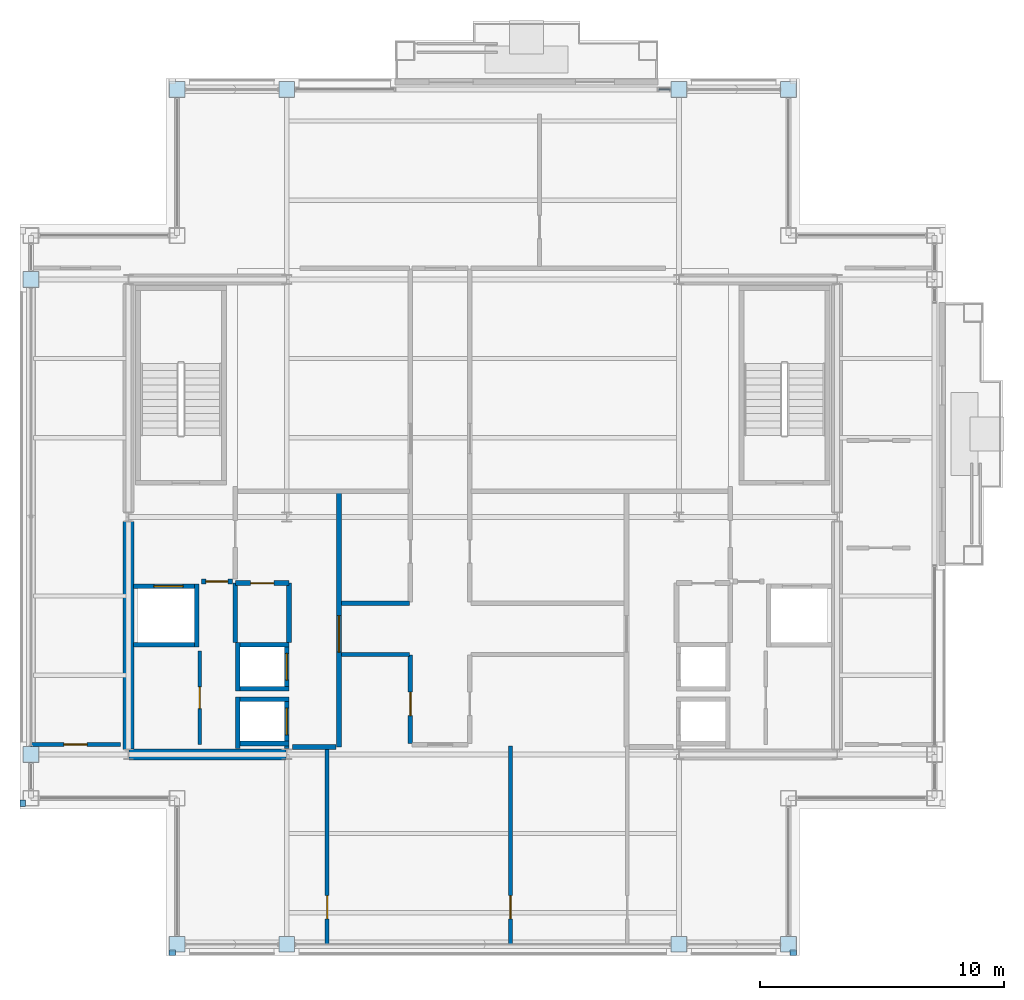
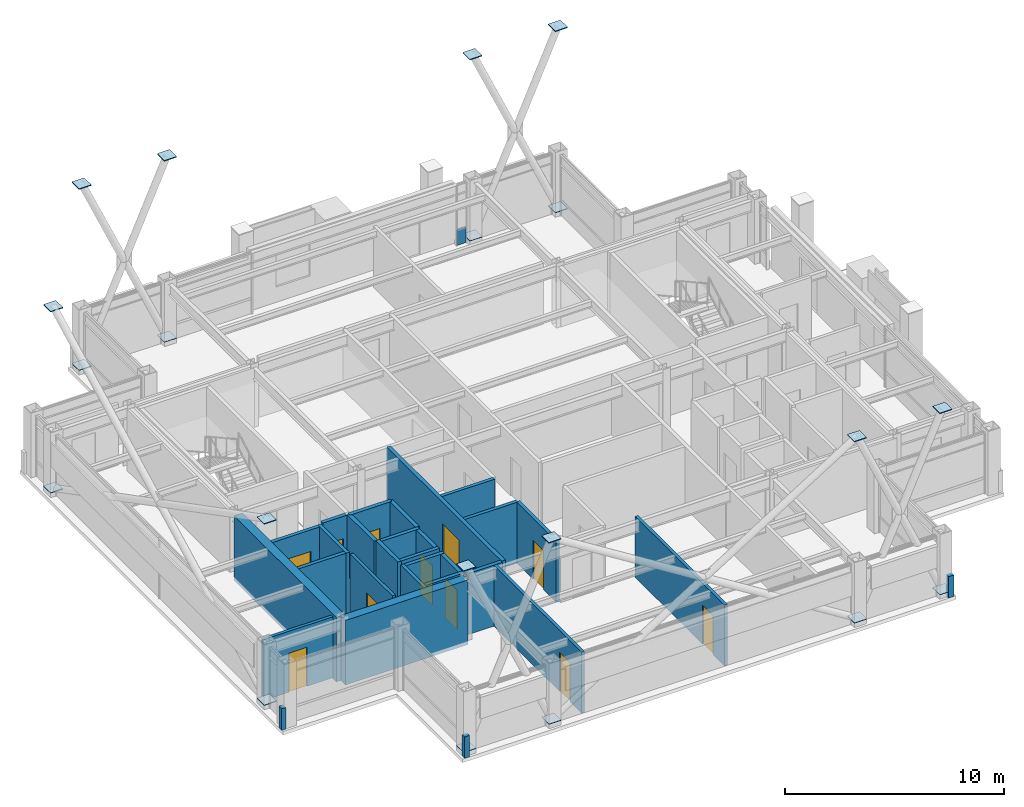
# One storey, part 25 of 30: 29 walls, 21 plates, 11 doors, 11 openings, 1 element without a shape of its own.
"""IFC4 building model written with IfcOpenShell, lengths in metres."""

from ifc_helpers import new_model, si_unit, direction, frame, frame_2d, origin, origin_2d, place, context, subcontext, project, spatial, rectangle, extrude, material, layer, layer_set, type_object, element, fill, aggregate, save


model = new_model("IFC4")

# Units and contexts
model_context = context("Model", 3, precision=1e-05, world=origin(), true_north=direction((0.0, 1.0)))
body_context = subcontext(model_context, "Body", "Model", "MODEL_VIEW")
ifc_project = project(units=[si_unit("LENGTHUNIT", "METRE"), si_unit("AREAUNIT", "SQUARE_METRE"), si_unit("VOLUMEUNIT", "CUBIC_METRE"), si_unit("PLANEANGLEUNIT", "RADIAN"), si_unit("MASSUNIT", "GRAM", prefix="KILO")], contexts=[model_context])

# Site, building, storey
site_placement = place(None, origin())
site = spatial("IfcSite", under=ifc_project, at=site_placement, CompositionType="ELEMENT")
building_placement = place(site_placement, origin())
building = spatial("IfcBuilding", under=site, at=building_placement, Name="Brelmoor Portico Tower", CompositionType="ELEMENT")
storey_placement = place(building_placement, frame((0.0, 0.0, 236.39990234375)))
storey = spatial("IfcBuildingStorey", under=building, at=storey_placement, Name="L62", CompositionType="ELEMENT", Elevation=236.39990234375)

# Plates
ifc_material_1 = material(Name="Steel Q355B", Category="steel")
ifc_layer_1 = layer(ifc_material_1, 0.044921875)
ifc_layer_set_1 = layer_set([ifc_layer_1], Name="Steel Q355B")
plate_type_1 = type_object("IfcPlateType", Name="PT-CAP-650", PredefinedType="SHEET", material=ifc_layer_set_1)
for number, where, z_axis, x_axis, name in (
    (1, (-12.550048828125, -17.550048828125, 0.2275390625), (0.0, 0.0, 1.0), (1.0, 0.0, 0.0), "L62 Continuous Mega-X Brace 139A Joint Cap Plate 1"),
    (2, (-8.050048828125, -17.550048828125, 10.32763671875), (0.0, 0.0, 1.0), (1.0, 0.0, 0.0), "L62 Continuous Mega-X Brace 139A Joint Cap Plate 2"),
    (3, (-8.050048828125, -17.550048828125, 0.2275390625), (0.0, 0.0, 1.0), (1.0, 0.0, 0.0), "L62 Split Mega-X Brace 139B1 Joint Cap Plate 1"),
    (4, (-12.550048828125, -17.550048828125, 10.32763671875), (0.0, 0.0, 1.0), (1.0, 0.0, 0.0), "L62 Split Mega-X Brace 139B2 Joint Cap Plate 2"),
    (5, (8.050048828125, -17.550048828125, 10.32763671875), (0.0, 0.0, 1.0), (1.0, 0.0, 0.0), "L62 Continuous Mega-X Brace 140A Joint Cap Plate 2"),
    (6, (8.050048828125, -17.550048828125, 0.2275390625), (0.0, 0.0, 1.0), (1.0, 0.0, 0.0), "L62 Split Mega-X Brace 140B1 Joint Cap Plate 1"),
    (7, (12.550048828125, -17.550048828125, 10.32763671875), (0.0, 0.0, 1.0), (1.0, 0.0, 0.0), "L62 Continuous Mega-X Brace 141A Joint Cap Plate 2"),
    (8, (12.550048828125, -17.550048828125, 0.2275390625), (0.0, 0.0, 1.0), (1.0, 0.0, 0.0), "L62 Split Mega-X Brace 141B1 Joint Cap Plate 1"),
    (9, (-12.550048828125, 17.550048828125, 0.2275390625), (0.0, 0.0, 1.0), (1.0, 0.0, 0.0), "L62 Continuous Mega-X Brace 142A Joint Cap Plate 1"),
    (10, (-8.050048828125, 17.550048828125, 10.32763671875), (0.0, 0.0, 1.0), (1.0, 0.0, 0.0), "L62 Continuous Mega-X Brace 142A Joint Cap Plate 2"),
    (11, (-8.050048828125, 17.550048828125, 0.2275390625), (0.0, 0.0, 1.0), (1.0, 0.0, 0.0), "L62 Split Mega-X Brace 142B1 Joint Cap Plate 1"),
    (12, (-12.550048828125, 17.550048828125, 10.32763671875), (0.0, 0.0, 1.0), (1.0, 0.0, 0.0), "L62 Split Mega-X Brace 142B2 Joint Cap Plate 2"),
    (13, (8.050048828125, 17.550048828125, 0.2275390625), (0.0, 0.0, 1.0), (1.0, 0.0, 0.0), "L62 Continuous Mega-X Brace 143A Joint Cap Plate 1"),
    (14, (12.550048828125, 17.550048828125, 10.32763671875), (0.0, 0.0, 1.0), (1.0, 0.0, 0.0), "L62 Continuous Mega-X Brace 143A Joint Cap Plate 2"),
    (15, (12.550048828125, 17.550048828125, 0.2275390625), (0.0, 0.0, 1.0), (1.0, 0.0, 0.0), "L62 Split Mega-X Brace 143B1 Joint Cap Plate 1"),
    (16, (8.050048828125, 17.550048828125, 10.32763671875), (0.0, 0.0, 1.0), (1.0, 0.0, 0.0), "L62 Split Mega-X Brace 143B2 Joint Cap Plate 2"),
    (17, (-18.550048828125, -9.75, 0.2275390625), (0.0, 0.0, 1.0), (1.0, 0.0, 0.0), "L62 Continuous Mega-X Brace 144A Joint Cap Plate 1"),
    (18, (-18.550048828125, 9.75, 10.32763671875), (0.0, 0.0, 1.0), (1.0, 0.0, 0.0), "L62 Continuous Mega-X Brace 144A Joint Cap Plate 2"),
    (19, (-18.550048828125, 9.75, 0.2275390625), (0.0, 0.0, 1.0), (1.0, 0.0, 0.0), "L62 Split Mega-X Brace 144B1 Joint Cap Plate 1"),
    (20, (-18.550048828125, -9.75, 10.32763671875), (0.0, 0.0, 1.0), (1.0, 0.0, 0.0), "L62 Split Mega-X Brace 144B2 Joint Cap Plate 2"),
):
    element("IfcPlate", number, at=place(storey_placement, frame(where, z_axis=z_axis, x_axis=x_axis)), inside=storey, type_object=plate_type_1, Name=name, PredefinedType="SHEET", context=body_context, shape_type="SweptSolid", body=[
        extrude(rectangle(XDim=0.64990234375, YDim=0.64990234375, at=origin_2d()), origin(), (0.0, 0.0, 1.0), 0.044921875),
    ])

# Curtain wall, plate
ifc_material_2 = material(Name="Anodised Aluminium Alloy 6063-T6", Category="aluminium")
ifc_layer_2 = layer(ifc_material_2, 0.179931640625)
ifc_layer_set_2 = layer_set([ifc_layer_2], Name="Anodised Aluminium Alloy 6063-T6")
curtain_wall_type = type_object("IfcCurtainWallType", Name="CW-TOWER-Z4", PredefinedType="NOTDEFINED", material=ifc_layer_set_2)
curtain_wall_placement = place(storey_placement, origin())
curtain_wall = element("IfcCurtainWall", 21, at=curtain_wall_placement, inside=storey, type_object=curtain_wall_type, Name="L62 Curtain Wall CW-L62-2R-1", PredefinedType="NOTDEFINED")
ifc_material_3 = material(Name="Pale Champagne Anodised Aluminium Panel", Category="aluminium")
ifc_layer_3 = layer(ifc_material_3, 0.050048828125)
ifc_layer_set_3 = layer_set([ifc_layer_3], Name="Pale Champagne Anodised Aluminium Panel")
plate_type_2 = type_object("IfcPlateType", Name="PT-CW-SPANDREL", PredefinedType="SHEET", material=ifc_layer_set_3)
plate_placement = place(storey_placement, frame((7.45751953125, 17.550048828125, 0.0), z_axis=(0.0, 0.0, 1.0), x_axis=(1.0, 0.0, 0.0)))
plate = element("IfcPlate", 22, at=plate_placement, type_object=plate_type_2, Name="CW-L62-2R-1 Spandrel Panel 00", PredefinedType="SHEET", context=body_context, shape_type="SweptSolid", body=[
    extrude(rectangle(XDim=0.485107421875, YDim=0.050048828125, at=origin_2d()), origin(), (0.0, 0.0, 1.0), 0.85009765625),
])
aggregate(curtain_wall, [plate])

# Walls
ifc_material_4 = material(Name="Concrete C50", Category="concrete")
ifc_layer_4 = layer(ifc_material_4, 0.449951171875)
ifc_layer_set_4 = layer_set([ifc_layer_4], Name="Concrete C50")
wall_type_1 = type_object("IfcWallType", Name="WL-CORE-450", PredefinedType="SHEAR", material=ifc_layer_set_4)
wall_1_placement = place(storey_placement, frame((-14.530029296875, -9.75, -0.199951171875), z_axis=(0.0, 0.0, 1.0), x_axis=(1.0, 0.0, 0.0)))
element("IfcWall", 23, at=wall_1_placement, inside=storey, type_object=wall_type_1, Name="L62 WC South Shear Wall", PredefinedType="SHEAR", context=body_context, shape_type="SweptSolid", body=[
    extrude(rectangle(XDim=6.4599609375, YDim=0.449951171875, at=frame_2d((3.22998046875, 0.0))), origin(), (0.0, 0.0, 1.0), 3.60009765625),
])
wall_2_placement = place(storey_placement, frame((-14.550048828125, -9.550048828125, -0.199951171875), z_axis=(0.0, 0.0, 1.0), x_axis=(0.0, 1.0, 0.0)))
element("IfcWall", 24, at=wall_2_placement, inside=storey, type_object=wall_type_1, Name="L62 WC Outer South Shear Wall", PredefinedType="SHEAR", context=body_context, shape_type="SweptSolid", body=[
    extrude(rectangle(XDim=9.35009765625, YDim=0.449951171875, at=frame_2d((4.675048828125, 0.0))), origin(), (0.0, 0.0, 1.0), 3.60009765625),
])
ifc_material_5 = material(Name="Concrete C40 Parapet Upstand", Category="concrete")
ifc_layer_5 = layer(ifc_material_5, 0.219970703125)
ifc_layer_set_5 = layer_set([ifc_layer_5], Name="Concrete C40 Parapet Upstand")
wall_type_2 = type_object("IfcWallType", Name="WL-PARAPET-220", PredefinedType="PARAPET", material=ifc_layer_set_5)
for number, where, z_axis, x_axis, name in (
    (25, (-12.889892578125, -17.889892578125, 0.0), (0.0, 0.0, 1.0), (1.0, 0.0, 0.0), "L62 Chamfer Vertex Parapet Pier SW1"),
    (26, (-18.889892578125, -11.889892578125, 0.0), (0.0, 0.0, 1.0), (0.0, 1.0, 0.0), "L62 Chamfer Vertex Parapet Pier SW2"),
    (27, (12.6201171875, -17.889892578125, 0.0), (0.0, 0.0, 1.0), (1.0, 0.0, 0.0), "L62 Chamfer Vertex Parapet Pier SE1"),
):
    element("IfcWall", number, at=place(storey_placement, frame(where, z_axis=z_axis, x_axis=x_axis)), inside=storey, type_object=wall_type_2, Name=name, PredefinedType="PARAPET", context=body_context, shape_type="SweptSolid", body=[
        extrude(rectangle(XDim=0.269775390625, YDim=0.219970703125, at=frame_2d((0.134765625, 0.0))), origin(), (0.0, 0.0, 1.0), 1.2001953125),
    ])

# Wall, opening, door
ifc_material_6 = material(Name="Twin-Frame Acoustic Partition", Category="gypsum")
ifc_layer_6 = layer(ifc_material_6, 0.159912109375)
ifc_layer_set_6 = layer_set([ifc_layer_6], Name="Twin-Frame Acoustic Partition")
wall_type_3 = type_object("IfcWallType", Name="WL-PART-160", PredefinedType="PARTITIONING", material=ifc_layer_set_6)
wall_3_placement = place(storey_placement, frame((-11.6201171875, -9.35009765625, 0.0), z_axis=(0.0, 0.0, 1.0), x_axis=(0.0, 1.0, 0.0)))
wall_3 = element("IfcWall", 28, at=wall_3_placement, inside=storey, type_object=wall_type_3, Name="L62 W Core Service Front Wall", PredefinedType="PARTITIONING", context=body_context, shape_type="SweptSolid", body=[
    extrude(rectangle(XDim=3.85009765625, YDim=0.159912109375, at=frame_2d((1.925048828125, 0.0))), origin(), (0.0, 0.0, 1.0), 3.400146484375),
])
opening_1_placement = place(wall_3_placement, frame((1.47509765625, 0.0, 0.0)))
opening_1 = element("IfcOpeningElement", 29, at=opening_1_placement, cuts=wall_3, Name="Opening D-IN1", PredefinedType="OPENING", context=body_context, shape_type="SweptSolid", body=[
    extrude(rectangle(XDim=0.89990234375, YDim=2.14990234375, at=frame_2d((0.449951171875, 1.074951171875))), frame((0.0, 0.08984375, 0.0), z_axis=(0.0, -1.0, 0.0), x_axis=(1.0, 0.0, 0.0)), (0.0, 0.0, 1.0), 0.179931640625),
])
ifc_material_7 = material(Name="Lacquered Timber Suite Door", Category="wood")
door_type_1 = type_object("IfcDoorType", Name="DR-INT-900", OperationType="NOTDEFINED", PredefinedType="DOOR", material=ifc_material_7)
door_1_placement = place(opening_1_placement, origin())
door_1 = element("IfcDoor", 30, at=door_1_placement, inside=storey, type_object=door_type_1, Name="D-2562 L62 W Accessible WC Door", OperationType="SINGLE_SWING_LEFT", OverallHeight=2.14990234375, OverallWidth=0.89990234375, PredefinedType="DOOR", context=body_context, shape_type="SweptSolid", body=[
    extrude(rectangle(XDim=0.89990234375, YDim=2.14990234375, at=frame_2d((0.449951171875, 1.074951171875))), frame((0.0, 0.02490234375, 0.0), z_axis=(0.0, -1.0, 0.0), x_axis=(1.0, 0.0, 0.0)), (0.0, 0.0, 1.0), 0.050048828125),
])
fill(opening_1, door_1)

wall_4_placement = place(storey_placement, frame((-6.3896484375, -17.56005859375, 0.0), z_axis=(0.0, 0.0, 1.0), x_axis=(0.0, 1.0, 0.0)))
wall_4 = element("IfcWall", 31, at=wall_4_placement, inside=storey, type_object=wall_type_3, Name="L62 South Suite Partition 1", PredefinedType="PARTITIONING", context=body_context, shape_type="SweptSolid", body=[
    extrude(rectangle(XDim=8.150146484375, YDim=0.159912109375, at=frame_2d((4.0751953125, 0.0))), origin(), (0.0, 0.0, 1.0), 3.400146484375),
])
opening_2_placement = place(wall_4_placement, frame((1.050048828125, 0.0, 0.0)))
opening_2 = element("IfcOpeningElement", 32, at=opening_2_placement, cuts=wall_4, Name="Opening D-IN2", PredefinedType="OPENING", context=body_context, shape_type="SweptSolid", body=[
    extrude(rectangle(XDim=0.9599609375, YDim=2.179931640625, at=frame_2d((0.47998046875, 1.08984375))), frame((0.0, 0.08984375, 0.0), z_axis=(0.0, -1.0, 0.0), x_axis=(1.0, 0.0, 0.0)), (0.0, 0.0, 1.0), 0.179931640625),
])
door_type_2 = type_object("IfcDoorType", Name="DR-INT-950", OperationType="NOTDEFINED", PredefinedType="DOOR", material=ifc_material_7)
door_2_placement = place(opening_2_placement, origin())
door_2 = element("IfcDoor", 33, at=door_2_placement, inside=storey, type_object=door_type_2, Name="D-2574 L62 South Suite Connecting Door 1", OperationType="SINGLE_SWING_RIGHT", OverallHeight=2.179931640625, OverallWidth=0.9599609375, PredefinedType="DOOR", context=body_context, shape_type="SweptSolid", body=[
    extrude(rectangle(XDim=0.9599609375, YDim=2.179931640625, at=frame_2d((0.47998046875, 1.08984375))), frame((0.0, 0.02490234375, 0.0), z_axis=(0.0, -1.0, 0.0), x_axis=(1.0, 0.0, 0.0)), (0.0, 0.0, 1.0), 0.050048828125),
])
fill(opening_2, door_2)

wall_5_placement = place(storey_placement, frame((1.14111328125, -17.56005859375, 0.0), z_axis=(0.0, 0.0, 1.0), x_axis=(0.0, 1.0, 0.0)))
wall_5 = element("IfcWall", 34, at=wall_5_placement, inside=storey, type_object=wall_type_3, Name="L62 South Suite Partition 2", PredefinedType="PARTITIONING", context=body_context, shape_type="SweptSolid", body=[
    extrude(rectangle(XDim=8.150146484375, YDim=0.159912109375, at=frame_2d((4.0751953125, 0.0))), origin(), (0.0, 0.0, 1.0), 3.400146484375),
])
opening_3_placement = place(wall_5_placement, frame((1.050048828125, 0.0, 0.0)))
opening_3 = element("IfcOpeningElement", 35, at=opening_3_placement, cuts=wall_5, Name="Opening D-IN2", PredefinedType="OPENING", context=body_context, shape_type="SweptSolid", body=[
    extrude(rectangle(XDim=0.9599609375, YDim=2.179931640625, at=frame_2d((0.47998046875, 1.08984375))), frame((0.0, 0.08984375, 0.0), z_axis=(0.0, -1.0, 0.0), x_axis=(1.0, 0.0, 0.0)), (0.0, 0.0, 1.0), 0.179931640625),
])
door_3_placement = place(opening_3_placement, origin())
door_3 = element("IfcDoor", 36, at=door_3_placement, inside=storey, type_object=door_type_2, Name="D-2575 L62 South Suite Connecting Door 2", OperationType="SINGLE_SWING_LEFT", OverallHeight=2.179931640625, OverallWidth=0.9599609375, PredefinedType="DOOR", context=body_context, shape_type="SweptSolid", body=[
    extrude(rectangle(XDim=0.9599609375, YDim=2.179931640625, at=frame_2d((0.47998046875, 1.08984375))), frame((0.0, 0.02490234375, 0.0), z_axis=(0.0, -1.0, 0.0), x_axis=(1.0, 0.0, 0.0)), (0.0, 0.0, 1.0), 0.050048828125),
])
fill(opening_3, door_3)

wall_6_placement = place(storey_placement, frame((-18.56005859375, -9.35009765625, 0.0), z_axis=(0.0, 0.0, 1.0), x_axis=(1.0, 0.0, 0.0)))
wall_6 = element("IfcWall", 37, at=wall_6_placement, inside=storey, type_object=wall_type_3, Name="L62 South Wing Closure WL", PredefinedType="PARTITIONING", context=body_context, shape_type="SweptSolid", body=[
    extrude(rectangle(XDim=3.68017578125, YDim=0.159912109375, at=frame_2d((1.840087890625, 0.0))), origin(), (0.0, 0.0, 1.0), 3.400146484375),
])
opening_4_placement = place(wall_6_placement, frame((1.360107421875, 0.0, 0.0)))
opening_4 = element("IfcOpeningElement", 38, at=opening_4_placement, cuts=wall_6, Name="Opening D-IN2", PredefinedType="OPENING", context=body_context, shape_type="SweptSolid", body=[
    extrude(rectangle(XDim=0.9599609375, YDim=2.179931640625, at=frame_2d((0.47998046875, 1.08984375))), frame((0.0, 0.08984375, 0.0), z_axis=(0.0, -1.0, 0.0), x_axis=(1.0, 0.0, 0.0)), (0.0, 0.0, 1.0), 0.179931640625),
])
door_4_placement = place(opening_4_placement, origin())
door_4 = element("IfcDoor", 39, at=door_4_placement, inside=storey, type_object=door_type_2, Name="D-2580 L62 WL Wing South Suite Door", OperationType="SINGLE_SWING_RIGHT", OverallHeight=2.179931640625, OverallWidth=0.9599609375, PredefinedType="DOOR", context=body_context, shape_type="SweptSolid", body=[
    extrude(rectangle(XDim=0.9599609375, YDim=2.179931640625, at=frame_2d((0.47998046875, 1.08984375))), frame((0.0, 0.02490234375, 0.0), z_axis=(0.0, -1.0, 0.0), x_axis=(1.0, 0.0, 0.0)), (0.0, 0.0, 1.0), 0.050048828125),
])
fill(opening_4, door_4)

# Wall
ifc_material_8 = material(Name="Acoustic Corridor Fire Partition", Category="gypsum")
ifc_layer_7 = layer(ifc_material_8, 0.179931640625)
ifc_layer_set_7 = layer_set([ifc_layer_7], Name="Acoustic Corridor Fire Partition")
wall_type_4 = type_object("IfcWallType", Name="WL-PART-180", PredefinedType="PARTITIONING", material=ifc_layer_set_7)
wall_7_placement = place(storey_placement, frame((-5.800048828125, -3.550048828125, 0.0), z_axis=(0.0, 0.0, 1.0), x_axis=(1.0, 0.0, 0.0)))
element("IfcWall", 40, at=wall_7_placement, inside=storey, type_object=wall_type_4, Name="L62 West Pantry South Wall", PredefinedType="PARTITIONING", context=body_context, shape_type="SweptSolid", body=[
    extrude(rectangle(XDim=2.7900390625, YDim=0.179931640625, at=frame_2d((1.39501953125, 0.0))), origin(), (0.0, 0.0, 1.0), 3.400146484375),
])

# Wall, opening, door
wall_8_placement = place(storey_placement, frame((-2.969970703125, -9.31005859375, 0.0), z_axis=(0.0, 0.0, 1.0), x_axis=(0.0, 1.0, 0.0)))
wall_8 = element("IfcWall", 41, at=wall_8_placement, inside=storey, type_object=wall_type_4, Name="L62 South Cross West Wall", PredefinedType="PARTITIONING", context=body_context, shape_type="SweptSolid", body=[
    extrude(rectangle(XDim=3.630126953125, YDim=0.179931640625, at=frame_2d((1.81494140625, 0.0))), origin(), (0.0, 0.0, 1.0), 3.400146484375),
])
opening_5_placement = place(wall_8_placement, frame((1.14990234375, 0.0, 0.0)))
opening_5 = element("IfcOpeningElement", 42, at=opening_5_placement, cuts=wall_8, Name="Opening D-IN2", PredefinedType="OPENING", context=body_context, shape_type="SweptSolid", body=[
    extrude(rectangle(XDim=0.9599609375, YDim=2.179931640625, at=frame_2d((0.47998046875, 1.08984375))), frame((0.0, 0.099853515625, 0.0), z_axis=(0.0, -1.0, 0.0), x_axis=(1.0, 0.0, 0.0)), (0.0, 0.0, 1.0), 0.199951171875),
])
door_5_placement = place(opening_5_placement, origin())
door_5 = element("IfcDoor", 43, at=door_5_placement, inside=storey, type_object=door_type_2, Name="D-2556 L62 South-West Archive Room Door", OperationType="SINGLE_SWING_RIGHT", OverallHeight=2.179931640625, OverallWidth=0.9599609375, PredefinedType="DOOR", context=body_context, shape_type="SweptSolid", body=[
    extrude(rectangle(XDim=0.9599609375, YDim=2.179931640625, at=frame_2d((0.47998046875, 1.08984375))), frame((0.0, 0.02490234375, 0.0), z_axis=(0.0, -1.0, 0.0), x_axis=(1.0, 0.0, 0.0)), (0.0, 0.0, 1.0), 0.050048828125),
])
fill(opening_5, door_5)

# Wall
wall_9_placement = place(storey_placement, frame((-5.800048828125, -5.64990234375, 0.0), z_axis=(0.0, 0.0, 1.0), x_axis=(1.0, 0.0, 0.0)))
element("IfcWall", 44, at=wall_9_placement, inside=storey, type_object=wall_type_4, Name="L62 South-West Chamber Top Wall", PredefinedType="PARTITIONING", context=body_context, shape_type="SweptSolid", body=[
    extrude(rectangle(XDim=2.7900390625, YDim=0.179931640625, at=frame_2d((1.39501953125, 0.0))), origin(), (0.0, 0.0, 1.0), 3.400146484375),
])

# Wall, opening, door
ifc_material_9 = material(Name="Double-Stud Gypsum Fire Partition", Category="gypsum")
ifc_layer_8 = layer(ifc_material_9, 0.199951171875)
ifc_layer_set_8 = layer_set([ifc_layer_8], Name="Double-Stud Gypsum Fire Partition")
wall_type_5 = type_object("IfcWallType", Name="WL-PART-200", PredefinedType="PARTITIONING", material=ifc_layer_set_8)
wall_10_placement = place(storey_placement, frame((-5.89990234375, -9.449951171875, 0.0), z_axis=(0.0, 0.0, 1.0), x_axis=(0.0, 1.0, 0.0)))
wall_10 = element("IfcWall", 45, at=wall_10_placement, inside=storey, type_object=wall_type_5, Name="L62 W Core Lobby Compartment Wall", PredefinedType="PARTITIONING", context=body_context, shape_type="SweptSolid", body=[
    extrude(rectangle(XDim=10.5, YDim=0.199951171875, at=frame_2d((5.25, 0.0))), origin(), (0.0, 0.0, 1.0), 3.400146484375),
])
opening_6_placement = place(wall_10_placement, frame((3.89990234375, 0.0, 0.0)))
opening_6 = element("IfcOpeningElement", 46, at=opening_6_placement, cuts=wall_10, Name="Opening D-LB1", PredefinedType="OPENING", context=body_context, shape_type="SweptSolid", body=[
    extrude(rectangle(XDim=1.5, YDim=2.199951171875, at=frame_2d((0.75, 1.10009765625))), frame((0.0, 0.10986328125, 0.0), z_axis=(0.0, -1.0, 0.0), x_axis=(1.0, 0.0, 0.0)), (0.0, 0.0, 1.0), 0.219970703125),
])
ifc_material_10 = material(Name="Double-Leaf Glazed Steel Fire Door", Category="steel")
door_type_3 = type_object("IfcDoorType", Name="DR-LOBBY-1500", OperationType="NOTDEFINED", PredefinedType="DOOR", material=ifc_material_10)
door_6_placement = place(opening_6_placement, origin())
door_6 = element("IfcDoor", 47, at=door_6_placement, inside=storey, type_object=door_type_3, Name="D-2568 L62 W Lift Lobby Main Door", OperationType="DOUBLE_DOOR_SINGLE_SWING", OverallHeight=2.199951171875, OverallWidth=1.5, PredefinedType="DOOR", context=body_context, shape_type="SweptSolid", body=[
    extrude(rectangle(XDim=1.5, YDim=2.199951171875, at=frame_2d((0.75, 1.10009765625))), frame((0.0, 0.02490234375, 0.0), z_axis=(0.0, -1.0, 0.0), x_axis=(1.0, 0.0, 0.0)), (0.0, 0.0, 1.0), 0.050048828125),
])
fill(opening_6, door_6)

# Wall
wall_11_placement = place(storey_placement, frame((-6.02001953125, -9.449951171875, 0.0), z_axis=(0.0, 0.0, 1.0), x_axis=(-1.0, 0.0, 0.0)))
element("IfcWall", 48, at=wall_11_placement, inside=storey, type_object=wall_type_5, Name="L62 W Lift Lobby South End Wall", PredefinedType="PARTITIONING", context=body_context, shape_type="SweptSolid", body=[
    extrude(rectangle(XDim=1.800048828125, YDim=0.199951171875, at=frame_2d((0.89990234375, 0.0))), origin(), (0.0, 0.0, 1.0), 3.400146484375),
])

# Wall, opening, door
wall_12_placement = place(storey_placement, frame((-10.280029296875, -2.64990234375, 0.0), z_axis=(0.0, 0.0, 1.0), x_axis=(-1.0, 0.0, 0.0)))
wall_12 = element("IfcWall", 49, at=wall_12_placement, inside=storey, type_object=wall_type_5, Name="L62 W Firefighting Lobby South Wall", PredefinedType="PARTITIONING", context=body_context, shape_type="SweptSolid", body=[
    extrude(rectangle(XDim=1.27001953125, YDim=0.199951171875, at=frame_2d((0.635009765625, 0.0))), origin(), (0.0, 0.0, 1.0), 3.400146484375),
])
opening_7_placement = place(wall_12_placement, frame((0.18505859375, 0.0, 0.0)))
opening_7 = element("IfcOpeningElement", 50, at=opening_7_placement, cuts=wall_12, Name="Opening D-IN1", PredefinedType="OPENING", context=body_context, shape_type="SweptSolid", body=[
    extrude(rectangle(XDim=0.89990234375, YDim=2.14990234375, at=frame_2d((0.449951171875, 1.074951171875))), frame((0.0, 0.10986328125, 0.0), z_axis=(0.0, -1.0, 0.0), x_axis=(1.0, 0.0, 0.0)), (0.0, 0.0, 1.0), 0.219970703125),
])
door_7_placement = place(opening_7_placement, origin())
door_7 = element("IfcDoor", 51, at=door_7_placement, inside=storey, type_object=door_type_1, Name="D-2561 L62 W Core Service Vestibule Door", OperationType="SINGLE_SWING_LEFT", OverallHeight=2.14990234375, OverallWidth=0.89990234375, PredefinedType="DOOR", context=body_context, shape_type="SweptSolid", body=[
    extrude(rectangle(XDim=0.89990234375, YDim=2.14990234375, at=frame_2d((0.449951171875, 1.074951171875))), frame((0.0, 0.02490234375, 0.0), z_axis=(0.0, -1.0, 0.0), x_axis=(1.0, 0.0, 0.0)), (0.0, 0.0, 1.0), 0.050048828125),
])
fill(opening_7, door_7)

wall_13_placement = place(storey_placement, frame((-7.9599609375, -2.719970703125, 0.0), z_axis=(0.0, 0.0, 1.0), x_axis=(-1.0, 0.0, 0.0)))
wall_13 = element("IfcWall", 52, at=wall_13_placement, inside=storey, type_object=wall_type_5, Name="L62 W Electrical Switchgear Closet Wall", PredefinedType="PARTITIONING", context=body_context, shape_type="SweptSolid", body=[
    extrude(rectangle(XDim=2.199951171875, YDim=0.199951171875, at=frame_2d((1.10009765625, 0.0))), origin(), (0.0, 0.0, 1.0), 3.400146484375),
])
opening_8_placement = place(wall_13_placement, frame((0.6201171875, 0.0, 0.0)))
opening_8 = element("IfcOpeningElement", 53, at=opening_8_placement, cuts=wall_13, Name="Opening D-FR4", PredefinedType="OPENING", context=body_context, shape_type="SweptSolid", body=[
    extrude(rectangle(XDim=0.949951171875, YDim=2.10009765625, at=frame_2d((0.47509765625, 1.050048828125))), frame((0.0, 0.10986328125, 0.0), z_axis=(0.0, -1.0, 0.0), x_axis=(1.0, 0.0, 0.0)), (0.0, 0.0, 1.0), 0.219970703125),
])
ifc_material_11 = material(Name="Painted Galvanised Steel Riser Door", Category="steel")
door_type_4 = type_object("IfcDoorType", Name="DR-FIRE-950", OperationType="NOTDEFINED", PredefinedType="DOOR", material=ifc_material_11)
door_8_placement = place(opening_8_placement, origin())
door_8 = element("IfcDoor", 54, at=door_8_placement, inside=storey, type_object=door_type_4, Name="D-2564 L62 W Electrical Switchgear Closet Door", OperationType="SINGLE_SWING_RIGHT", OverallHeight=2.10009765625, OverallWidth=0.949951171875, PredefinedType="DOOR", context=body_context, shape_type="SweptSolid", body=[
    extrude(rectangle(XDim=0.949951171875, YDim=2.10009765625, at=frame_2d((0.47509765625, 1.050048828125))), frame((0.0, 0.02490234375, 0.0), z_axis=(0.0, -1.0, 0.0), x_axis=(1.0, 0.0, 0.0)), (0.0, 0.0, 1.0), 0.050048828125),
])
fill(opening_8, door_8)

# Walls
for number, where, z_axis, x_axis, name in (
    (55, (-7.9599609375, -5.159912109375, 0.0), (0.0, 0.0, 1.0), (0.0, 1.0, 0.0), "L62 W Electrical Switchgear Closet Inner Wall"),
    (56, (-10.159912109375, -5.159912109375, 0.0), (0.0, 0.0, 1.0), (0.0, 1.0, 0.0), "L62 W Electrical Switchgear Closet Outer Wall"),
):
    element("IfcWall", number, at=place(storey_placement, frame(where, z_axis=z_axis, x_axis=x_axis)), inside=storey, type_object=wall_type_5, Name=name, PredefinedType="PARTITIONING", context=body_context, shape_type="SweptSolid", body=[
        extrude(rectangle(XDim=2.43994140625, YDim=0.199951171875, at=frame_2d((1.219970703125, 0.0))), origin(), (0.0, 0.0, 1.0), 3.400146484375),
    ])

# Wall, opening, door
ifc_material_12 = material(Name="Precast Concrete C40", Category="concrete")
ifc_layer_9 = layer(ifc_material_12, 0.18994140625)
ifc_layer_set_9 = layer_set([ifc_layer_9], Name="Precast Concrete C40")
wall_type_6 = type_object("IfcWallType", Name="WL-SHAFT-180", PredefinedType="SOLIDWALL", material=ifc_layer_set_9)
wall_14_placement = place(storey_placement, frame((-8.044921875, -9.52001953125, -0.199951171875), z_axis=(0.0, 0.0, 1.0), x_axis=(0.0, 1.0, 0.0)))
wall_14 = element("IfcWall", 57, at=wall_14_placement, inside=storey, type_object=wall_type_6, Name="L62 Lift PH1 Hoistway Front Wall", PredefinedType="SOLIDWALL", context=body_context, shape_type="SweptSolid", body=[
    extrude(rectangle(XDim=2.1201171875, YDim=0.18994140625, at=frame_2d((1.06005859375, 0.0))), origin(), (0.0, 0.0, 1.0), 3.60009765625),
])
opening_9_placement = place(wall_14_placement, frame((0.570068359375, 0.0, 0.199951171875)))
opening_9 = element("IfcOpeningElement", 58, at=opening_9_placement, cuts=wall_14, Name="Opening LD-01", PredefinedType="OPENING", context=body_context, shape_type="SweptSolid", body=[
    extrude(rectangle(XDim=1.10009765625, YDim=2.199951171875, at=frame_2d((0.550048828125, 1.10009765625))), frame((0.0, 0.10498046875, 0.0), z_axis=(0.0, -1.0, 0.0), x_axis=(1.0, 0.0, 0.0)), (0.0, 0.0, 1.0), 0.2099609375),
])
ifc_material_13 = material(Name="Brushed Stainless Steel Sliding Lift Door", Category="steel")
door_type_5 = type_object("IfcDoorType", Name="DR-LIFT-1100", OperationType="NOTDEFINED", PredefinedType="DOOR", material=ifc_material_13)
door_9_placement = place(opening_9_placement, origin())
door_9 = element("IfcDoor", 59, at=door_9_placement, inside=storey, type_object=door_type_5, Name="D-2587 L62 Lift PH1 Sliding Landing Door", OperationType="SLIDING_TO_LEFT", OverallHeight=2.199951171875, OverallWidth=1.10009765625, PredefinedType="DOOR", context=body_context, shape_type="SweptSolid", body=[
    extrude(rectangle(XDim=1.10009765625, YDim=2.199951171875, at=frame_2d((0.550048828125, 1.10009765625))), frame((0.0, 0.02490234375, 0.0), z_axis=(0.0, -1.0, 0.0), x_axis=(1.0, 0.0, 0.0)), (0.0, 0.0, 1.0), 0.050048828125),
])
fill(opening_9, door_9)

# Walls
wall_15_placement = place(storey_placement, frame((-10.054931640625, -9.52001953125, -0.199951171875), z_axis=(0.0, 0.0, 1.0), x_axis=(0.0, 1.0, 0.0)))
element("IfcWall", 60, at=wall_15_placement, inside=storey, type_object=wall_type_6, Name="L62 Lift PH1 Hoistway Back Wall", PredefinedType="SOLIDWALL", context=body_context, shape_type="SweptSolid", body=[
    extrude(rectangle(XDim=2.1201171875, YDim=0.18994140625, at=frame_2d((1.06005859375, 0.0))), origin(), (0.0, 0.0, 1.0), 3.60009765625),
])
for number, where, z_axis, x_axis, name in (
    (61, (-10.14990234375, -7.4951171875, -0.199951171875), (0.0, 0.0, 1.0), (1.0, 0.0, 0.0), "L62 Lift PH1 Hoistway North Wall"),
    (62, (-10.14990234375, -9.304931640625, -0.199951171875), (0.0, 0.0, 1.0), (1.0, 0.0, 0.0), "L62 Lift PH1 Hoistway South Wall"),
):
    element("IfcWall", number, at=place(storey_placement, frame(where, z_axis=z_axis, x_axis=x_axis)), inside=storey, type_object=wall_type_6, Name=name, PredefinedType="SOLIDWALL", context=body_context, shape_type="SweptSolid", body=[
        extrude(rectangle(XDim=2.199951171875, YDim=0.18994140625, at=frame_2d((1.10009765625, 0.0))), origin(), (0.0, 0.0, 1.0), 3.60009765625),
    ])

# Wall, opening, door
wall_16_placement = place(storey_placement, frame((-8.044921875, -7.14990234375, -0.199951171875), z_axis=(0.0, 0.0, 1.0), x_axis=(0.0, 1.0, 0.0)))
wall_16 = element("IfcWall", 63, at=wall_16_placement, inside=storey, type_object=wall_type_6, Name="L62 Lift PH2 Hoistway Front Wall", PredefinedType="SOLIDWALL", context=body_context, shape_type="SweptSolid", body=[
    extrude(rectangle(XDim=2.0, YDim=0.18994140625, at=frame_2d((1.0, 0.0))), origin(), (0.0, 0.0, 1.0), 3.60009765625),
])
opening_10_placement = place(wall_16_placement, frame((0.449951171875, 0.0, 0.199951171875)))
opening_10 = element("IfcOpeningElement", 64, at=opening_10_placement, cuts=wall_16, Name="Opening LD-01", PredefinedType="OPENING", context=body_context, shape_type="SweptSolid", body=[
    extrude(rectangle(XDim=1.10009765625, YDim=2.199951171875, at=frame_2d((0.550048828125, 1.10009765625))), frame((0.0, 0.10498046875, 0.0), z_axis=(0.0, -1.0, 0.0), x_axis=(1.0, 0.0, 0.0)), (0.0, 0.0, 1.0), 0.2099609375),
])
door_10_placement = place(opening_10_placement, origin())
door_10 = element("IfcDoor", 65, at=door_10_placement, inside=storey, type_object=door_type_5, Name="D-2588 L62 Lift PH2 Sliding Landing Door", OperationType="SLIDING_TO_LEFT", OverallHeight=2.199951171875, OverallWidth=1.10009765625, PredefinedType="DOOR", context=body_context, shape_type="SweptSolid", body=[
    extrude(rectangle(XDim=1.10009765625, YDim=2.199951171875, at=frame_2d((0.550048828125, 1.10009765625))), frame((0.0, 0.02490234375, 0.0), z_axis=(0.0, -1.0, 0.0), x_axis=(1.0, 0.0, 0.0)), (0.0, 0.0, 1.0), 0.050048828125),
])
fill(opening_10, door_10)

# Walls
wall_17_placement = place(storey_placement, frame((-10.054931640625, -7.14990234375, -0.199951171875), z_axis=(0.0, 0.0, 1.0), x_axis=(0.0, 1.0, 0.0)))
element("IfcWall", 66, at=wall_17_placement, inside=storey, type_object=wall_type_6, Name="L62 Lift PH2 Hoistway Back Wall", PredefinedType="SOLIDWALL", context=body_context, shape_type="SweptSolid", body=[
    extrude(rectangle(XDim=2.0, YDim=0.18994140625, at=frame_2d((1.0, 0.0))), origin(), (0.0, 0.0, 1.0), 3.60009765625),
])
for number, where, z_axis, x_axis, name in (
    (67, (-10.14990234375, -5.2451171875, -0.199951171875), (0.0, 0.0, 1.0), (1.0, 0.0, 0.0), "L62 Lift PH2 Hoistway North Wall"),
    (68, (-10.14990234375, -7.054931640625, -0.199951171875), (0.0, 0.0, 1.0), (1.0, 0.0, 0.0), "L62 Lift PH2 Hoistway South Wall"),
):
    element("IfcWall", number, at=place(storey_placement, frame(where, z_axis=z_axis, x_axis=x_axis)), inside=storey, type_object=wall_type_6, Name=name, PredefinedType="SOLIDWALL", context=body_context, shape_type="SweptSolid", body=[
        extrude(rectangle(XDim=2.199951171875, YDim=0.18994140625, at=frame_2d((1.10009765625, 0.0))), origin(), (0.0, 0.0, 1.0), 3.60009765625),
    ])

# Wall, opening, door
wall_18_placement = place(storey_placement, frame((-14.330078125, -2.844970703125, -0.199951171875), z_axis=(0.0, 0.0, 1.0), x_axis=(1.0, 0.0, 0.0)))
wall_18 = element("IfcWall", 69, at=wall_18_placement, inside=storey, type_object=wall_type_6, Name="L62 Lift FF1 Hoistway Front Wall", PredefinedType="SOLIDWALL", context=body_context, shape_type="SweptSolid", body=[
    extrude(rectangle(XDim=2.68017578125, YDim=0.18994140625, at=frame_2d((1.340087890625, 0.0))), origin(), (0.0, 0.0, 1.0), 3.60009765625),
])
opening_11_placement = place(wall_18_placement, frame((0.830078125, 0.0, 0.199951171875)))
opening_11 = element("IfcOpeningElement", 70, at=opening_11_placement, cuts=wall_18, Name="Opening LD-02", PredefinedType="OPENING", context=body_context, shape_type="SweptSolid", body=[
    extrude(rectangle(XDim=1.199951171875, YDim=2.199951171875, at=frame_2d((0.60009765625, 1.10009765625))), frame((0.0, 0.10498046875, 0.0), z_axis=(0.0, -1.0, 0.0), x_axis=(1.0, 0.0, 0.0)), (0.0, 0.0, 1.0), 0.2099609375),
])
ifc_material_14 = material(Name="Brushed Stainless Steel Firefighting Lift Door", Category="steel")
door_type_6 = type_object("IfcDoorType", Name="DR-LIFT-1200", OperationType="NOTDEFINED", PredefinedType="DOOR", material=ifc_material_14)
door_11_placement = place(opening_11_placement, origin())
door_11 = element("IfcDoor", 71, at=door_11_placement, inside=storey, type_object=door_type_6, Name="D-2585 L62 Lift FF1 Sliding Landing Door", OperationType="SLIDING_TO_LEFT", OverallHeight=2.199951171875, OverallWidth=1.199951171875, PredefinedType="DOOR", context=body_context, shape_type="SweptSolid", body=[
    extrude(rectangle(XDim=1.199951171875, YDim=2.199951171875, at=frame_2d((0.60009765625, 1.10009765625))), frame((0.0, 0.02490234375, 0.0), z_axis=(0.0, -1.0, 0.0), x_axis=(1.0, 0.0, 0.0)), (0.0, 0.0, 1.0), 0.050048828125),
])
fill(opening_11, door_11)

# Walls
wall_19_placement = place(storey_placement, frame((-14.330078125, -5.2548828125, -0.199951171875), z_axis=(0.0, 0.0, 1.0), x_axis=(1.0, 0.0, 0.0)))
element("IfcWall", 72, at=wall_19_placement, inside=storey, type_object=wall_type_6, Name="L62 Firefighting Lift FF1 South Wall", PredefinedType="SOLIDWALL", context=body_context, shape_type="SweptSolid", body=[
    extrude(rectangle(XDim=2.68017578125, YDim=0.18994140625, at=frame_2d((1.340087890625, 0.0))), origin(), (0.0, 0.0, 1.0), 3.60009765625),
])
wall_20_placement = place(storey_placement, frame((-11.7451171875, -5.35009765625, -0.199951171875), z_axis=(0.0, 0.0, 1.0), x_axis=(0.0, 1.0, 0.0)))
element("IfcWall", 73, at=wall_20_placement, inside=storey, type_object=wall_type_6, Name="L62 Firefighting Lift FF1 Inner Wall", PredefinedType="SOLIDWALL", context=body_context, shape_type="SweptSolid", body=[
    extrude(rectangle(XDim=2.60009765625, YDim=0.18994140625, at=frame_2d((1.300048828125, 0.0))), origin(), (0.0, 0.0, 1.0), 3.60009765625),
])

save(model, "model.ifc")
